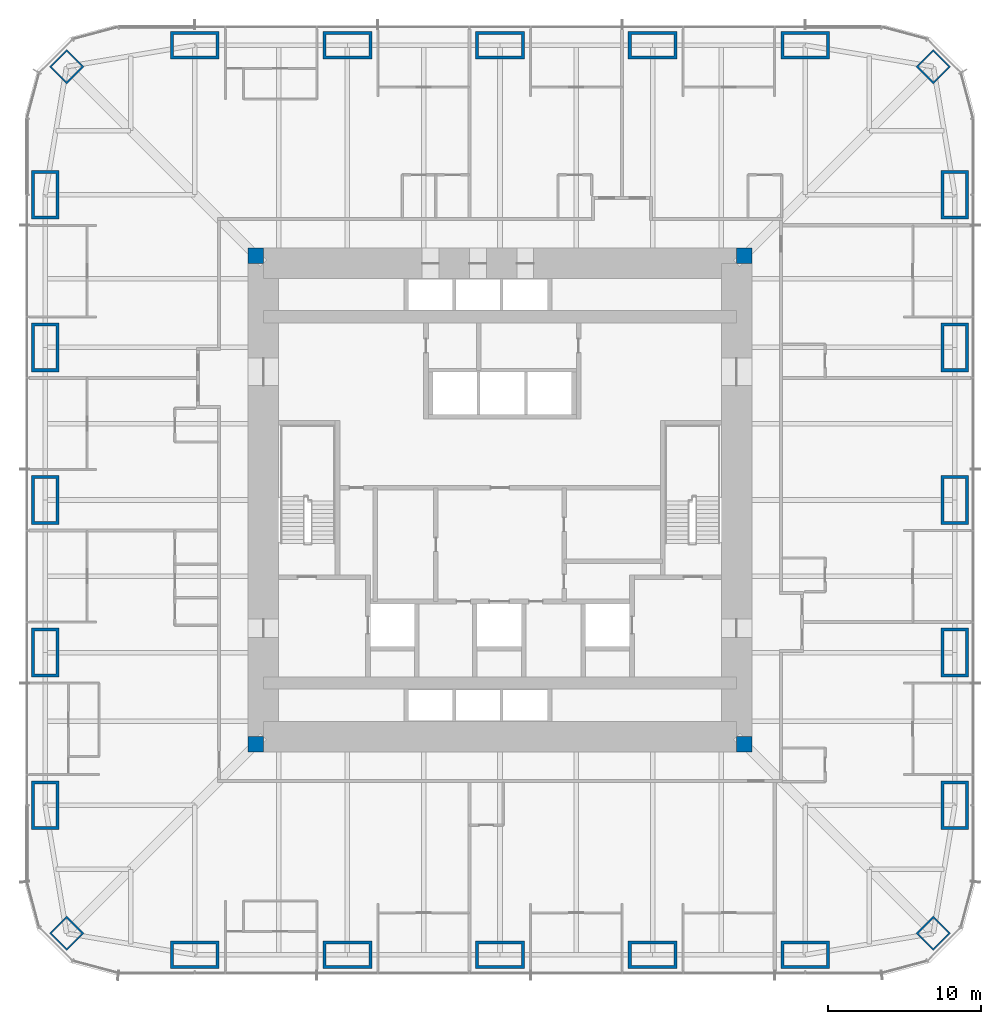
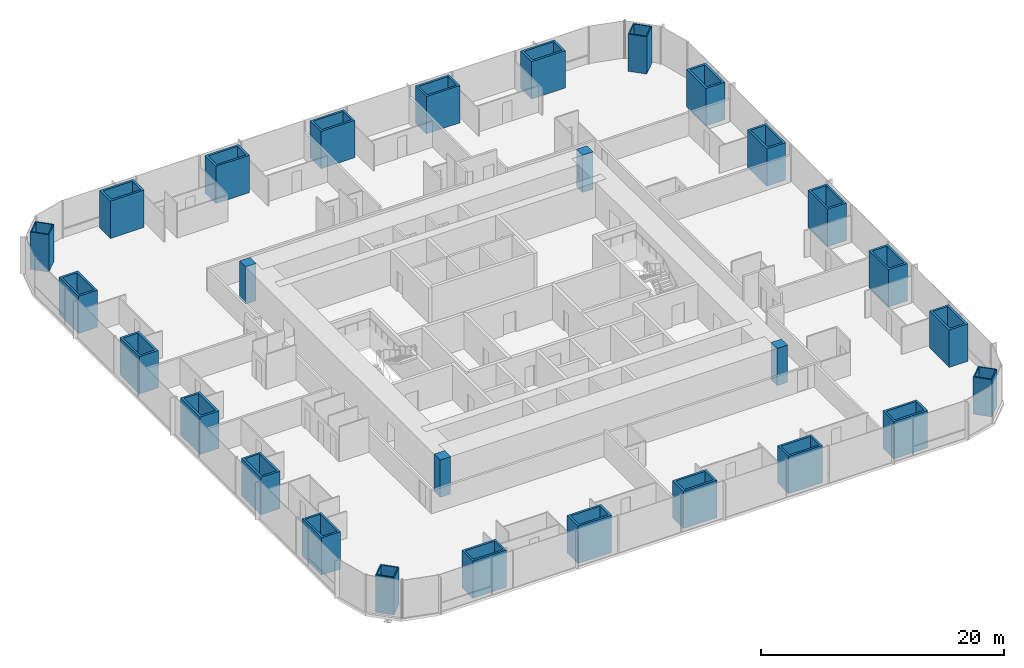
# One storey, part 1 of 17: 28 columns.
"""IFC4 building model written with IfcOpenShell, lengths in metres."""

from ifc_helpers import new_model, si_unit, direction, frame, origin, origin_2d, place, context, subcontext, project, spatial, rectangle, hollow_rectangle, extrude, material, material_profile, profile_set, type_object, element, save


model = new_model("IFC4")

# Units and contexts
model_context = context("Model", 3, precision=1e-05, world=origin(), true_north=direction((0.0, 1.0)))
body_context = subcontext(model_context, "Body", "Model", "MODEL_VIEW")
ifc_project = project(units=[si_unit("LENGTHUNIT", "METRE"), si_unit("AREAUNIT", "SQUARE_METRE"), si_unit("VOLUMEUNIT", "CUBIC_METRE"), si_unit("PLANEANGLEUNIT", "RADIAN"), si_unit("MASSUNIT", "GRAM", prefix="KILO")], contexts=[model_context])

# Site, building, storey
site_placement = place(None, origin())
site = spatial("IfcSite", under=ifc_project, at=site_placement, CompositionType="ELEMENT")
building_placement = place(site_placement, origin())
building = spatial("IfcBuilding", under=site, at=building_placement, Name="Khuree Lantern Residences", CompositionType="ELEMENT")
storey_placement = place(building_placement, frame((0.0, 0.0, 84.75)))
storey = spatial("IfcBuildingStorey", under=building, at=storey_placement, Name="L21", CompositionType="ELEMENT", Elevation=84.75)

# Columns
ifc_material_1 = material(Name="Steel S355 CFT welded box", Category="steel")
ifc_material_profile_1 = material_profile(ifc_material_1, hollow_rectangle(XDim=1.60009765625, YDim=1.60009765625, WallThickness=0.10009765625, at=origin_2d()), Name="WELDED BOX 1600X1600X100")
ifc_profile_set_1 = profile_set([ifc_material_profile_1], Name="Steel S355 CFT welded box")
column_type_1 = type_object("IfcColumnType", Name="CC1600 PERIMETER CORNER MEGA COLUMN WELDED BOX 1600X1600X100", PredefinedType="COLUMN", material=ifc_profile_set_1)
for number, where, z_axis, x_axis, name in (
    (1, (28.39404296875, 28.39404296875, 0.0), (0.0, 0.0, 1.0), (0.707106781187, -0.707106781187, 0.0), "Perimeter column NE"),
    (2, (28.39404296875, -28.39404296875, 0.0), (0.0, 0.0, 1.0), (0.707106781187, 0.707106781187, 0.0), "Perimeter column SE"),
    (3, (-28.39404296875, -28.39404296875, 0.0), (0.0, 0.0, 1.0), (0.707106781187, -0.707106781187, 0.0), "Perimeter column SW"),
    (4, (-28.39404296875, 28.39404296875, 0.0), (0.0, 0.0, 1.0), (0.707106781187, 0.707106781187, 0.0), "Perimeter column NW"),
):
    element("IfcColumn", number, at=place(storey_placement, frame(where, z_axis=z_axis, x_axis=x_axis)), inside=storey, type_object=column_type_1, Name=name, PredefinedType="COLUMN", context=body_context, shape_type="SweptSolid", body=[
        extrude(hollow_rectangle(XDim=1.60009765625, YDim=1.60009765625, WallThickness=0.10009765625, at=origin_2d()), origin(), (0.0, 0.0, 1.0), 3.75),
    ])
ifc_material_2 = material(Name="Concrete C70/85", Category="concrete")
ifc_material_profile_2 = material_profile(ifc_material_2, rectangle(XDim=1.0, YDim=1.0, at=origin_2d()), Name="RC 1000X1000")
ifc_profile_set_2 = profile_set([ifc_material_profile_2], Name="Concrete C70/85")
column_type_2 = type_object("IfcColumnType", Name="CP1000-C70 CORE CORNER PIER C70 RC 1000X1000", PredefinedType="COLUMN", material=ifc_profile_set_2)
for number, where, z_axis, x_axis, name in (
    (5, (16.0, 16.0, -0.25), (0.0, 0.0, 1.0), (1.0, 0.0, 0.0), "Core corner pier NE"),
    (6, (-16.0, 16.0, -0.25), (0.0, 0.0, 1.0), (1.0, 0.0, 0.0), "Core corner pier NW"),
    (7, (-16.0, -16.0, -0.25), (0.0, 0.0, 1.0), (1.0, 0.0, 0.0), "Core corner pier SW"),
    (8, (16.0, -16.0, -0.25), (0.0, 0.0, 1.0), (1.0, 0.0, 0.0), "Core corner pier SE"),
):
    element("IfcColumn", number, at=place(storey_placement, frame(where, z_axis=z_axis, x_axis=x_axis)), inside=storey, type_object=column_type_2, Name=name, PredefinedType="COLUMN", context=body_context, shape_type="SweptSolid", body=[
        extrude(rectangle(XDim=1.0, YDim=1.0, at=origin_2d()), origin(), (0.0, 0.0, 1.0), 3.75),
    ])
ifc_material_profile_3 = material_profile(ifc_material_1, hollow_rectangle(XDim=3.199951171875, YDim=1.800048828125, WallThickness=0.199951171875, at=origin_2d()), Name="WELDED BOX 3200X1800X200")
ifc_profile_set_3 = profile_set([ifc_material_profile_3], Name="Steel S355 CFT welded box")
column_type_3 = type_object("IfcColumnType", Name="SC1 PERIMETER MEGA COLUMN WELDED BOX 3200X1800X200", PredefinedType="COLUMN", material=ifc_profile_set_3)
for number, where, z_axis, x_axis, name in (
    (9, (-20.0, 29.800048828125, 0.0), (0.0, 0.0, 1.0), (1.0, 0.0, 0.0), "Perimeter column N1"),
    (10, (-10.0, 29.800048828125, 0.0), (0.0, 0.0, 1.0), (1.0, 0.0, 0.0), "Perimeter column N2"),
    (11, (0.0, 29.800048828125, 0.0), (0.0, 0.0, 1.0), (1.0, 0.0, 0.0), "Perimeter column N3"),
    (12, (10.0, 29.800048828125, 0.0), (0.0, 0.0, 1.0), (1.0, 0.0, 0.0), "Perimeter column N4"),
    (13, (20.0, 29.800048828125, 0.0), (0.0, 0.0, 1.0), (1.0, 0.0, 0.0), "Perimeter column N5"),
    (14, (29.800048828125, 20.0, 0.0), (0.0, 0.0, 1.0), (0.0, 1.0, 0.0), "Perimeter column E1"),
    (15, (29.800048828125, 10.0, 0.0), (0.0, 0.0, 1.0), (0.0, 1.0, 0.0), "Perimeter column E2"),
    (16, (29.800048828125, 0.0, 0.0), (0.0, 0.0, 1.0), (0.0, 1.0, 0.0), "Perimeter column E3"),
    (17, (29.800048828125, -10.0, 0.0), (0.0, 0.0, 1.0), (0.0, 1.0, 0.0), "Perimeter column E4"),
    (18, (29.800048828125, -20.0, 0.0), (0.0, 0.0, 1.0), (0.0, 1.0, 0.0), "Perimeter column E5"),
    (19, (20.0, -29.800048828125, 0.0), (0.0, 0.0, 1.0), (1.0, 0.0, 0.0), "Perimeter column S1"),
    (20, (10.0, -29.800048828125, 0.0), (0.0, 0.0, 1.0), (1.0, 0.0, 0.0), "Perimeter column S2"),
    (21, (0.0, -29.800048828125, 0.0), (0.0, 0.0, 1.0), (1.0, 0.0, 0.0), "Perimeter column S3"),
    (22, (-10.0, -29.800048828125, 0.0), (0.0, 0.0, 1.0), (1.0, 0.0, 0.0), "Perimeter column S4"),
    (23, (-20.0, -29.800048828125, 0.0), (0.0, 0.0, 1.0), (1.0, 0.0, 0.0), "Perimeter column S5"),
    (24, (-29.800048828125, -20.0, 0.0), (0.0, 0.0, 1.0), (0.0, 1.0, 0.0), "Perimeter column W1"),
    (25, (-29.800048828125, -10.0, 0.0), (0.0, 0.0, 1.0), (0.0, 1.0, 0.0), "Perimeter column W2"),
    (26, (-29.800048828125, 0.0, 0.0), (0.0, 0.0, 1.0), (0.0, 1.0, 0.0), "Perimeter column W3"),
    (27, (-29.800048828125, 10.0, 0.0), (0.0, 0.0, 1.0), (0.0, 1.0, 0.0), "Perimeter column W4"),
    (28, (-29.800048828125, 20.0, 0.0), (0.0, 0.0, 1.0), (0.0, 1.0, 0.0), "Perimeter column W5"),
):
    element("IfcColumn", number, at=place(storey_placement, frame(where, z_axis=z_axis, x_axis=x_axis)), inside=storey, type_object=column_type_3, Name=name, PredefinedType="COLUMN", context=body_context, shape_type="SweptSolid", body=[
        extrude(hollow_rectangle(XDim=3.199951171875, YDim=1.800048828125, WallThickness=0.199951171875, at=origin_2d()), origin(), (0.0, 0.0, 1.0), 3.75),
    ])

save(model, "model.ifc")
